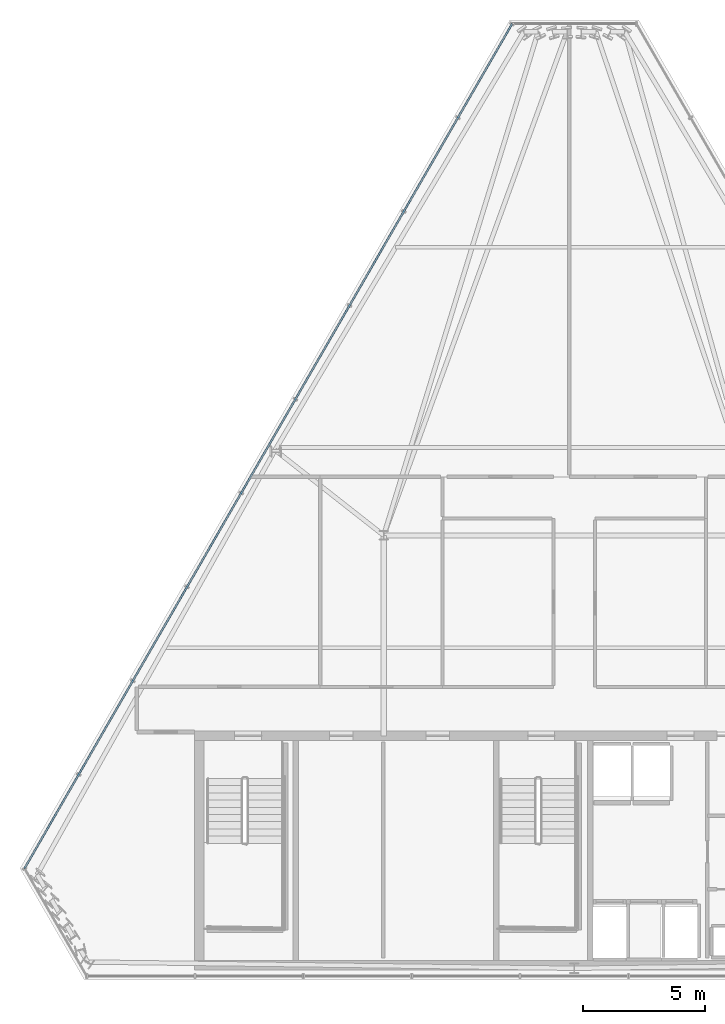
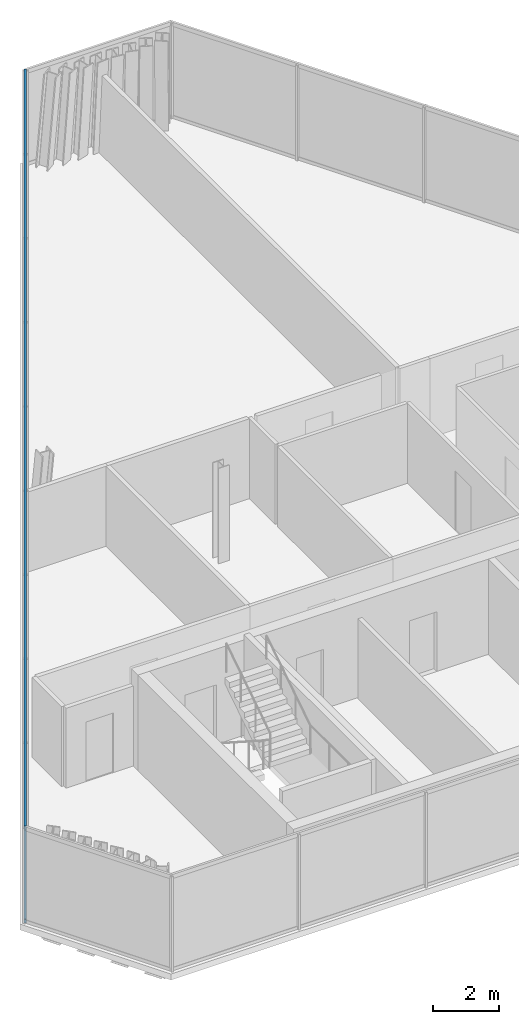
# One storey, part 14 of 35: 2 members, 1 element without a shape of its own.
"""IFC4 building model written with IfcOpenShell, lengths in metres."""

from ifc_helpers import new_model, si_unit, direction, frame, origin, origin_2d, place, context, subcontext, project, spatial, hollow_rectangle, extrude, material, layer, layer_set, material_profile, profile_set, type_object, element, aggregate, save


model = new_model("IFC4")

# Units and contexts
model_context = context("Model", 3, precision=1e-05, world=origin(), true_north=direction((0.0, 1.0)))
body_context = subcontext(model_context, "Body", "Model", "MODEL_VIEW")
ifc_project = project(units=[si_unit("LENGTHUNIT", "METRE"), si_unit("AREAUNIT", "SQUARE_METRE"), si_unit("VOLUMEUNIT", "CUBIC_METRE"), si_unit("PLANEANGLEUNIT", "RADIAN"), si_unit("MASSUNIT", "GRAM", prefix="KILO")], contexts=[model_context])

# Site, building, storey
site_placement = place(None, origin())
site = spatial("IfcSite", under=ifc_project, at=site_placement, CompositionType="ELEMENT")
building_placement = place(site_placement, origin())
building = spatial("IfcBuilding", under=site, at=building_placement, Name="Ndaravel Arena Tower", CompositionType="ELEMENT")
storey_placement = place(building_placement, frame((0.0, 0.0, 275.0)))
storey = spatial("IfcBuildingStorey", under=building, at=storey_placement, Name="L67", CompositionType="ELEMENT", Elevation=275.0)

# Curtain wall, members
ifc_material_1 = material(Name="Aluminium", Category="aluminium")
ifc_layer = layer(ifc_material_1, 0.179931640625)
ifc_layer_set = layer_set([ifc_layer], Name="Aluminium")
curtain_wall_type = type_object("IfcCurtainWallType", Name="CW-SYS-03", PredefinedType="NOTDEFINED", material=ifc_layer_set)
curtain_wall_placement = place(storey_placement, origin())
curtain_wall = element("IfcCurtainWall", 1, at=curtain_wall_placement, inside=storey, type_object=curtain_wall_type, Name="L67 Faceted Crystal Curtain Wall CW-L67-E05", PredefinedType="NOTDEFINED")
ifc_material_2 = material(Name="Aluminium", Category="aluminium")
ifc_material_profile = material_profile(ifc_material_2, hollow_rectangle(XDim=0.074951171875, YDim=0.14990234375, WallThickness=0.00390625, at=origin_2d()), Name="CW TRANSOM 75x150x4")
ifc_profile_set = profile_set([ifc_material_profile], Name="Aluminium")
member_type = type_object("IfcMemberType", Name="MEM-CW-TRN150", PredefinedType="USERDEFINED", material=ifc_profile_set)
member_1_placement = place(storey_placement, frame((39.455078125, 44.137939453125, 0.0400390625), z_axis=(-0.499996339024, -0.86602751744, 0.0), x_axis=(0.86602751744, -0.499996339024, 0.0)))
member_1 = element("IfcMember", 2, at=member_1_placement, type_object=member_type, Name="CW-L67-E05 Transom 01", ObjectType="TRANSOM", PredefinedType="USERDEFINED", context=body_context, shape_type="SweptSolid", body=[
    extrude(hollow_rectangle(XDim=0.074951171875, YDim=0.14990234375, WallThickness=0.00390625, at=origin_2d()), origin(), (0.0, 0.0, 1.0), 39.918212890625),
])
member_2_placement = place(storey_placement, frame((39.455078125, 44.137939453125, 3.47998046875), z_axis=(-0.499996339024, -0.86602751744, 0.0), x_axis=(0.86602751744, -0.499996339024, 0.0)))
member_2 = element("IfcMember", 3, at=member_2_placement, type_object=member_type, Name="CW-L67-E05 Transom 02", ObjectType="TRANSOM", PredefinedType="USERDEFINED", context=body_context, shape_type="SweptSolid", body=[
    extrude(hollow_rectangle(XDim=0.074951171875, YDim=0.14990234375, WallThickness=0.00390625, at=origin_2d()), origin(), (0.0, 0.0, 1.0), 39.918212890625),
])
aggregate(curtain_wall, [member_1, member_2])

save(model, "model.ifc")
